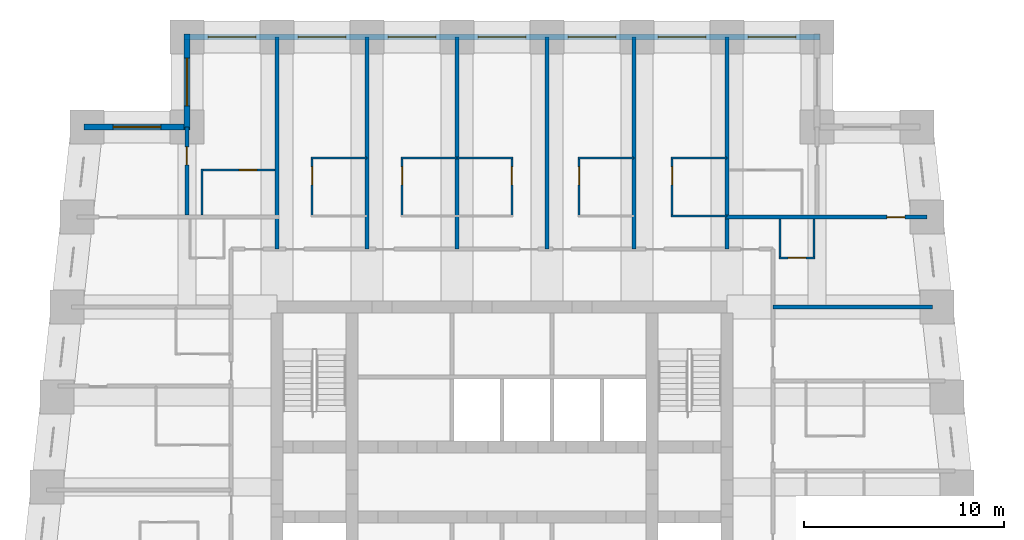
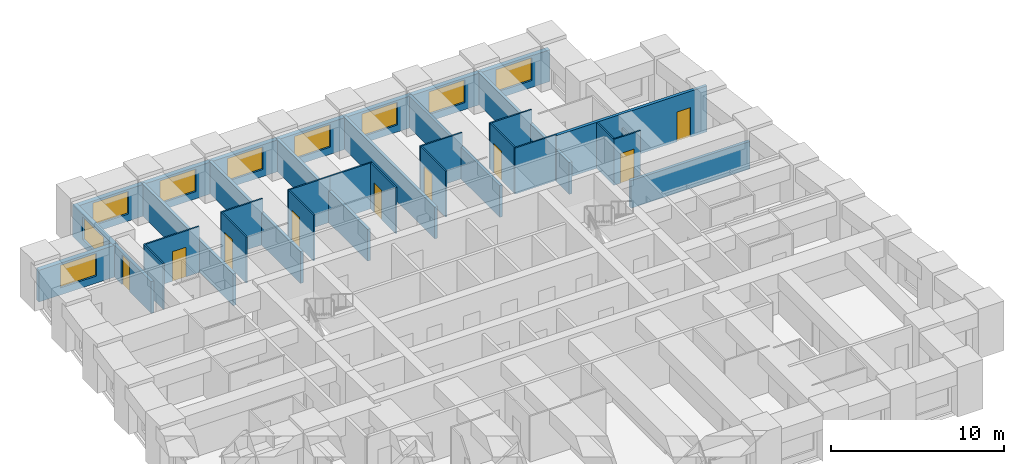
# One storey, part 6 of 8: 28 walls, 9 doors, 9 windows, 18 openings.
"""IFC4 building model written with IfcOpenShell, lengths in metres."""

from ifc_helpers import new_model, si_unit, direction, frame, frame_2d, origin, place, context, subcontext, project, spatial, rectangle, extrude, material, layer, layer_set, type_object, element, fill, save


model = new_model("IFC4")

# Units and contexts
model_context = context("Model", 3, precision=1e-05, world=origin(), true_north=direction((0.0, 1.0)))
body_context = subcontext(model_context, "Body", "Model", "MODEL_VIEW")
ifc_project = project(units=[si_unit("LENGTHUNIT", "METRE"), si_unit("AREAUNIT", "SQUARE_METRE"), si_unit("VOLUMEUNIT", "CUBIC_METRE"), si_unit("PLANEANGLEUNIT", "RADIAN"), si_unit("MASSUNIT", "GRAM", prefix="KILO")], contexts=[model_context])

# Site, building, storey
site_placement = place(None, origin())
site = spatial("IfcSite", under=ifc_project, at=site_placement, CompositionType="ELEMENT")
building_placement = place(site_placement, origin())
building = spatial("IfcBuilding", under=site, at=building_placement, Name="Kilele Tower Hotel", CompositionType="ELEMENT")
storey_placement = place(building_placement, frame((0.0, 0.0, 183.39990234375)))
storey = spatial("IfcBuildingStorey", under=building, at=storey_placement, Name="L47", CompositionType="ELEMENT", Elevation=183.39990234375)

# Wall
ifc_material_1 = material(Name="Moisture-resistant board")
ifc_layer_1 = layer(ifc_material_1, 0.10009765625)
ifc_layer_set_1 = layer_set([ifc_layer_1], Name="Moisture-resistant board")
wall_type_1 = type_object("IfcWallType", Name="Bathroom partition 100", PredefinedType="PLUMBINGWALL", material=ifc_layer_set_1)
wall_1_placement = place(storey_placement, frame((15.199951171875, 34.449951171875, 0.0), z_axis=(0.0, 0.0, 1.0), x_axis=(1.0, 0.0, 0.0)))
element("IfcWall", 1, at=wall_1_placement, inside=storey, type_object=wall_type_1, Name="Bathroom partition 100 L47", PredefinedType="PLUMBINGWALL", context=body_context, shape_type="SweptSolid", body=[
    extrude(rectangle(XDim=2.800048828125, YDim=0.10009765625, at=frame_2d((1.39990234375, 0.0))), origin(), (0.0, 0.0, 1.0), 3.25),
])

# Wall, opening, door
wall_2_placement = place(storey_placement, frame((15.25, 31.5, 0.0), z_axis=(0.0, 0.0, 1.0), x_axis=(0.0, 1.0, 0.0)))
wall_2 = element("IfcWall", 2, at=wall_2_placement, inside=storey, type_object=wall_type_1, Name="Bathroom partition 100 L47", PredefinedType="PLUMBINGWALL", context=body_context, shape_type="SweptSolid", body=[
    extrude(rectangle(XDim=3.0, YDim=0.10009765625, at=frame_2d((1.5, 0.0))), origin(), (0.0, 0.0, 1.0), 3.25),
])
opening_1_placement = place(wall_2_placement, frame((1.60009765625, 0.0, 0.0)))
opening_1 = element("IfcOpeningElement", 3, at=opening_1_placement, cuts=wall_2, Name="Opening D2A", PredefinedType="OPENING", context=body_context, shape_type="SweptSolid", body=[
    extrude(rectangle(XDim=0.89990234375, YDim=2.10009765625, at=frame_2d((0.449951171875, 1.050048828125))), frame((0.0, 0.06005859375, 0.0), z_axis=(0.0, -1.0, 0.0), x_axis=(1.0, 0.0, 0.0)), (0.0, 0.0, 1.0), 0.1201171875),
])
ifc_material_2 = material(Name="Timber door leaf in hardwood frame", Category="wood")
door_type_1 = type_object("IfcDoorType", Name="Bathroom door 900", OperationType="SINGLE_SWING_LEFT", PredefinedType="DOOR", material=ifc_material_2)
door_1_placement = place(opening_1_placement, origin())
door_1 = element("IfcDoor", 4, at=door_1_placement, inside=storey, type_object=door_type_1, Name="Bathroom door 4709B", OperationType="SINGLE_SWING_RIGHT", OverallHeight=2.10009765625, OverallWidth=0.89990234375, PredefinedType="DOOR", context=body_context, shape_type="SweptSolid", body=[
    extrude(rectangle(XDim=0.89990234375, YDim=2.10009765625, at=frame_2d((0.449951171875, 1.050048828125))), frame((0.0, 0.02490234375, 0.0), z_axis=(0.0, -1.0, 0.0), x_axis=(1.0, 0.0, 0.0)), (0.0, 0.0, 1.0), 0.050048828125),
])
fill(opening_1, door_1)

# Wall
wall_3_placement = place(storey_placement, frame((19.699951171875, 34.449951171875, 0.0), z_axis=(0.0, 0.0, 1.0), x_axis=(1.0, 0.0, 0.0)))
element("IfcWall", 5, at=wall_3_placement, inside=storey, type_object=wall_type_1, Name="Bathroom partition 100 L47", PredefinedType="PLUMBINGWALL", context=body_context, shape_type="SweptSolid", body=[
    extrude(rectangle(XDim=2.800048828125, YDim=0.10009765625, at=frame_2d((1.39990234375, 0.0))), origin(), (0.0, 0.0, 1.0), 3.25),
])

# Wall, opening, door
wall_4_placement = place(storey_placement, frame((19.75, 31.5, 0.0), z_axis=(0.0, 0.0, 1.0), x_axis=(0.0, 1.0, 0.0)))
wall_4 = element("IfcWall", 6, at=wall_4_placement, inside=storey, type_object=wall_type_1, Name="Bathroom partition 100 L47", PredefinedType="PLUMBINGWALL", context=body_context, shape_type="SweptSolid", body=[
    extrude(rectangle(XDim=3.0, YDim=0.10009765625, at=frame_2d((1.5, 0.0))), origin(), (0.0, 0.0, 1.0), 3.25),
])
opening_2_placement = place(wall_4_placement, frame((1.60009765625, 0.0, 0.0)))
opening_2 = element("IfcOpeningElement", 7, at=opening_2_placement, cuts=wall_4, Name="Opening D2A", PredefinedType="OPENING", context=body_context, shape_type="SweptSolid", body=[
    extrude(rectangle(XDim=0.89990234375, YDim=2.10009765625, at=frame_2d((0.449951171875, 1.050048828125))), frame((0.0, 0.06005859375, 0.0), z_axis=(0.0, -1.0, 0.0), x_axis=(1.0, 0.0, 0.0)), (0.0, 0.0, 1.0), 0.1201171875),
])
door_2_placement = place(opening_2_placement, origin())
door_2 = element("IfcDoor", 8, at=door_2_placement, inside=storey, type_object=door_type_1, Name="Bathroom door 4710B", OperationType="SINGLE_SWING_RIGHT", OverallHeight=2.10009765625, OverallWidth=0.89990234375, PredefinedType="DOOR", context=body_context, shape_type="SweptSolid", body=[
    extrude(rectangle(XDim=0.89990234375, YDim=2.10009765625, at=frame_2d((0.449951171875, 1.050048828125))), frame((0.0, 0.02490234375, 0.0), z_axis=(0.0, -1.0, 0.0), x_axis=(1.0, 0.0, 0.0)), (0.0, 0.0, 1.0), 0.050048828125),
])
fill(opening_2, door_2)

# Wall
wall_5_placement = place(storey_placement, frame((22.5, 34.449951171875, 0.0), z_axis=(0.0, 0.0, 1.0), x_axis=(1.0, 0.0, 0.0)))
element("IfcWall", 9, at=wall_5_placement, inside=storey, type_object=wall_type_1, Name="Bathroom partition 100 L47", PredefinedType="PLUMBINGWALL", context=body_context, shape_type="SweptSolid", body=[
    extrude(rectangle(XDim=2.800048828125, YDim=0.10009765625, at=frame_2d((1.39990234375, 0.0))), origin(), (0.0, 0.0, 1.0), 3.25),
])

# Wall, opening, door
wall_6_placement = place(storey_placement, frame((25.25, 31.5, 0.0), z_axis=(0.0, 0.0, 1.0), x_axis=(0.0, 1.0, 0.0)))
wall_6 = element("IfcWall", 10, at=wall_6_placement, inside=storey, type_object=wall_type_1, Name="Bathroom partition 100 L47", PredefinedType="PLUMBINGWALL", context=body_context, shape_type="SweptSolid", body=[
    extrude(rectangle(XDim=3.0, YDim=0.10009765625, at=frame_2d((1.5, 0.0))), origin(), (0.0, 0.0, 1.0), 3.25),
])
opening_3_placement = place(wall_6_placement, frame((2.5, 0.0, 0.0), z_axis=(0.0, 0.0, 1.0), x_axis=(-1.0, 0.0, 0.0)))
opening_3 = element("IfcOpeningElement", 11, at=opening_3_placement, cuts=wall_6, Name="Opening D2A", PredefinedType="OPENING", context=body_context, shape_type="SweptSolid", body=[
    extrude(rectangle(XDim=0.89990234375, YDim=2.10009765625, at=frame_2d((0.449951171875, 1.050048828125))), frame((0.0, 0.06005859375, 0.0), z_axis=(0.0, -1.0, 0.0), x_axis=(1.0, 0.0, 0.0)), (0.0, 0.0, 1.0), 0.1201171875),
])
door_3_placement = place(opening_3_placement, origin())
door_3 = element("IfcDoor", 12, at=door_3_placement, inside=storey, type_object=door_type_1, Name="Bathroom door 4711B", OperationType="SINGLE_SWING_LEFT", OverallHeight=2.10009765625, OverallWidth=0.89990234375, PredefinedType="DOOR", context=body_context, shape_type="SweptSolid", body=[
    extrude(rectangle(XDim=0.89990234375, YDim=2.10009765625, at=frame_2d((0.449951171875, 1.050048828125))), frame((0.0, 0.02490234375, 0.0), z_axis=(0.0, -1.0, 0.0), x_axis=(1.0, 0.0, 0.0)), (0.0, 0.0, 1.0), 0.050048828125),
])
fill(opening_3, door_3)

# Wall
wall_7_placement = place(storey_placement, frame((28.550048828125, 34.449951171875, 0.0), z_axis=(0.0, 0.0, 1.0), x_axis=(1.0, 0.0, 0.0)))
element("IfcWall", 13, at=wall_7_placement, inside=storey, type_object=wall_type_1, Name="Bathroom partition 100 L47", PredefinedType="PLUMBINGWALL", context=body_context, shape_type="SweptSolid", body=[
    extrude(rectangle(XDim=2.800048828125, YDim=0.10009765625, at=frame_2d((1.39990234375, 0.0))), origin(), (0.0, 0.0, 1.0), 3.25),
])

# Wall, opening, door
wall_8_placement = place(storey_placement, frame((28.60009765625, 31.5, 0.0), z_axis=(0.0, 0.0, 1.0), x_axis=(0.0, 1.0, 0.0)))
wall_8 = element("IfcWall", 14, at=wall_8_placement, inside=storey, type_object=wall_type_1, Name="Bathroom partition 100 L47", PredefinedType="PLUMBINGWALL", context=body_context, shape_type="SweptSolid", body=[
    extrude(rectangle(XDim=3.0, YDim=0.10009765625, at=frame_2d((1.5, 0.0))), origin(), (0.0, 0.0, 1.0), 3.25),
])
opening_4_placement = place(wall_8_placement, frame((1.60009765625, 0.0, 0.0)))
opening_4 = element("IfcOpeningElement", 15, at=opening_4_placement, cuts=wall_8, Name="Opening D2A", PredefinedType="OPENING", context=body_context, shape_type="SweptSolid", body=[
    extrude(rectangle(XDim=0.89990234375, YDim=2.10009765625, at=frame_2d((0.449951171875, 1.050048828125))), frame((0.0, 0.06005859375, 0.0), z_axis=(0.0, -1.0, 0.0), x_axis=(1.0, 0.0, 0.0)), (0.0, 0.0, 1.0), 0.1201171875),
])
door_4_placement = place(opening_4_placement, origin())
door_4 = element("IfcDoor", 16, at=door_4_placement, inside=storey, type_object=door_type_1, Name="Bathroom door 4712B", OperationType="SINGLE_SWING_RIGHT", OverallHeight=2.10009765625, OverallWidth=0.89990234375, PredefinedType="DOOR", context=body_context, shape_type="SweptSolid", body=[
    extrude(rectangle(XDim=0.89990234375, YDim=2.10009765625, at=frame_2d((0.449951171875, 1.050048828125))), frame((0.0, 0.02490234375, 0.0), z_axis=(0.0, -1.0, 0.0), x_axis=(1.0, 0.0, 0.0)), (0.0, 0.0, 1.0), 0.050048828125),
])
fill(opening_4, door_4)

# Walls
for number, where, z_axis, x_axis, name in (
    (17, (33.199951171875, 31.550048828125, 0.0), (0.0, 0.0, 1.0), (1.0, 0.0, 0.0), "Bathroom partition 100 L47"),
    (18, (33.199951171875, 34.449951171875, 0.0), (0.0, 0.0, 1.0), (1.0, 0.0, 0.0), "Bathroom partition 100 L47"),
):
    element("IfcWall", number, at=place(storey_placement, frame(where, z_axis=z_axis, x_axis=x_axis)), inside=storey, type_object=wall_type_1, Name=name, PredefinedType="PLUMBINGWALL", context=body_context, shape_type="SweptSolid", body=[
        extrude(rectangle(XDim=2.800048828125, YDim=0.10009765625, at=frame_2d((1.39990234375, 0.0))), origin(), (0.0, 0.0, 1.0), 3.25),
    ])

# Wall, opening, door
wall_9_placement = place(storey_placement, frame((33.25, 31.5, 0.0), z_axis=(0.0, 0.0, 1.0), x_axis=(0.0, 1.0, 0.0)))
wall_9 = element("IfcWall", 19, at=wall_9_placement, inside=storey, type_object=wall_type_1, Name="Bathroom partition 100 L47", PredefinedType="PLUMBINGWALL", context=body_context, shape_type="SweptSolid", body=[
    extrude(rectangle(XDim=3.0, YDim=0.10009765625, at=frame_2d((1.5, 0.0))), origin(), (0.0, 0.0, 1.0), 3.25),
])
opening_5_placement = place(wall_9_placement, frame((1.60009765625, 0.0, 0.0)))
opening_5 = element("IfcOpeningElement", 20, at=opening_5_placement, cuts=wall_9, Name="Opening D2A", PredefinedType="OPENING", context=body_context, shape_type="SweptSolid", body=[
    extrude(rectangle(XDim=0.89990234375, YDim=2.10009765625, at=frame_2d((0.449951171875, 1.050048828125))), frame((0.0, 0.06005859375, 0.0), z_axis=(0.0, -1.0, 0.0), x_axis=(1.0, 0.0, 0.0)), (0.0, 0.0, 1.0), 0.1201171875),
])
door_5_placement = place(opening_5_placement, origin())
door_5 = element("IfcDoor", 21, at=door_5_placement, inside=storey, type_object=door_type_1, Name="Bathroom door 4713B", OperationType="SINGLE_SWING_RIGHT", OverallHeight=2.10009765625, OverallWidth=0.89990234375, PredefinedType="DOOR", context=body_context, shape_type="SweptSolid", body=[
    extrude(rectangle(XDim=0.89990234375, YDim=2.10009765625, at=frame_2d((0.449951171875, 1.050048828125))), frame((0.0, 0.02490234375, 0.0), z_axis=(0.0, -1.0, 0.0), x_axis=(1.0, 0.0, 0.0)), (0.0, 0.0, 1.0), 0.050048828125),
])
fill(opening_5, door_5)

# Walls
wall_10_placement = place(storey_placement, frame((40.35009765625, 31.39990234375, 0.0), z_axis=(0.0, 0.0, 1.0), x_axis=(0.0, -1.0, 0.0)))
element("IfcWall", 22, at=wall_10_placement, inside=storey, type_object=wall_type_1, Name="Bathroom partition 100 L47", PredefinedType="PLUMBINGWALL", context=body_context, shape_type="SweptSolid", body=[
    extrude(rectangle(XDim=2.0, YDim=0.10009765625, at=frame_2d((1.0, 0.0))), origin(), (0.0, 0.0, 1.0), 2.25),
])
wall_11_placement = place(storey_placement, frame((38.64990234375, 31.39990234375, 0.0), z_axis=(0.0, 0.0, 1.0), x_axis=(0.0, -1.0, 0.0)))
element("IfcWall", 23, at=wall_11_placement, inside=storey, type_object=wall_type_1, Name="Bathroom partition 100 L47", PredefinedType="PLUMBINGWALL", context=body_context, shape_type="SweptSolid", body=[
    extrude(rectangle(XDim=2.0, YDim=0.10009765625, at=frame_2d((1.0, 0.0))), origin(), (0.0, 0.0, 1.0), 3.25),
])

# Wall, opening, door
wall_12_placement = place(storey_placement, frame((38.60009765625, 29.449951171875, 0.0), z_axis=(0.0, 0.0, 1.0), x_axis=(1.0, 0.0, 0.0)))
wall_12 = element("IfcWall", 24, at=wall_12_placement, inside=storey, type_object=wall_type_1, Name="Bathroom partition 100 L47", PredefinedType="PLUMBINGWALL", context=body_context, shape_type="SweptSolid", body=[
    extrude(rectangle(XDim=1.7998046875, YDim=0.10009765625, at=frame_2d((0.89990234375, 0.0))), origin(), (0.0, 0.0, 1.0), 3.25),
])
opening_6_placement = place(wall_12_placement, frame((1.349853515625, 0.0, 0.0), z_axis=(0.0, 0.0, 1.0), x_axis=(-1.0, 0.0, 0.0)))
opening_6 = element("IfcOpeningElement", 25, at=opening_6_placement, cuts=wall_12, Name="Opening D2A", PredefinedType="OPENING", context=body_context, shape_type="SweptSolid", body=[
    extrude(rectangle(XDim=0.89990234375, YDim=2.10009765625, at=frame_2d((0.449951171875, 1.050048828125))), frame((0.0, 0.06005859375, 0.0), z_axis=(0.0, -1.0, 0.0), x_axis=(1.0, 0.0, 0.0)), (0.0, 0.0, 1.0), 0.1201171875),
])
door_6_placement = place(opening_6_placement, origin())
door_6 = element("IfcDoor", 26, at=door_6_placement, inside=storey, type_object=door_type_1, Name="Bathroom door 4722P", OperationType="SINGLE_SWING_RIGHT", OverallHeight=2.10009765625, OverallWidth=0.89990234375, PredefinedType="DOOR", context=body_context, shape_type="SweptSolid", body=[
    extrude(rectangle(XDim=0.89990234375, YDim=2.10009765625, at=frame_2d((0.449951171875, 1.050048828125))), frame((0.0, 0.02490234375, 0.0), z_axis=(0.0, -1.0, 0.0), x_axis=(1.0, 0.0, 0.0)), (0.0, 0.0, 1.0), 0.050048828125),
])
fill(opening_6, door_6)

# Wall
wall_13_placement = place(storey_placement, frame((9.75, 31.60009765625, 0.0), z_axis=(0.0, 0.0, 1.0), x_axis=(0.0, 1.0, 0.0)))
element("IfcWall", 27, at=wall_13_placement, inside=storey, type_object=wall_type_1, Name="Bathroom partition 100 L47", PredefinedType="PLUMBINGWALL", context=body_context, shape_type="SweptSolid", body=[
    extrude(rectangle(XDim=2.2998046875, YDim=0.10009765625, at=frame_2d((1.14990234375, 0.0))), origin(), (0.0, 0.0, 1.0), 3.25),
])

# Wall, opening, door
wall_14_placement = place(storey_placement, frame((13.39990234375, 33.85009765625, 0.0), z_axis=(0.0, 0.0, 1.0), x_axis=(-1.0, 0.0, 0.0)))
wall_14 = element("IfcWall", 28, at=wall_14_placement, inside=storey, type_object=wall_type_1, Name="Bathroom partition 100 L47", PredefinedType="PLUMBINGWALL", context=body_context, shape_type="SweptSolid", body=[
    extrude(rectangle(XDim=3.699951171875, YDim=0.10009765625, at=frame_2d((1.85009765625, 0.0))), origin(), (0.0, 0.0, 1.0), 3.25),
])
opening_7_placement = place(wall_14_placement, frame((1.7998046875, 0.0, 0.0), z_axis=(0.0, 0.0, 1.0), x_axis=(-1.0, 0.0, 0.0)))
opening_7 = element("IfcOpeningElement", 29, at=opening_7_placement, cuts=wall_14, Name="Opening D2A", PredefinedType="OPENING", context=body_context, shape_type="SweptSolid", body=[
    extrude(rectangle(XDim=0.89990234375, YDim=2.10009765625, at=frame_2d((0.449951171875, 1.050048828125))), frame((0.0, 0.06005859375, 0.0), z_axis=(0.0, -1.0, 0.0), x_axis=(1.0, 0.0, 0.0)), (0.0, 0.0, 1.0), 0.1201171875),
])
door_7_placement = place(opening_7_placement, origin())
door_7 = element("IfcDoor", 30, at=door_7_placement, inside=storey, type_object=door_type_1, Name="Bathroom door 4726B", OperationType="SINGLE_SWING_RIGHT", OverallHeight=2.10009765625, OverallWidth=0.89990234375, PredefinedType="DOOR", context=body_context, shape_type="SweptSolid", body=[
    extrude(rectangle(XDim=0.89990234375, YDim=2.10009765625, at=frame_2d((0.449951171875, 1.050048828125))), frame((0.0, 0.02490234375, 0.0), z_axis=(0.0, -1.0, 0.0), x_axis=(1.0, 0.0, 0.0)), (0.0, 0.0, 1.0), 0.050048828125),
])
fill(opening_7, door_7)

ifc_material_3 = material(Name="Blockwork, plastered both sides", Category="masonry")
ifc_layer_2 = layer(ifc_material_3, 0.199951171875)
ifc_layer_set_2 = layer_set([ifc_layer_2], Name="Blockwork, plastered both sides")
wall_type_2 = type_object("IfcWallType", Name="Partition wall 200", PredefinedType="PARTITIONING", material=ifc_layer_set_2)
wall_15_placement = place(storey_placement, frame((9.0, 31.60009765625, 0.0), z_axis=(0.0, 0.0, 1.0), x_axis=(0.0, 1.0, 0.0)))
wall_15 = element("IfcWall", 31, at=wall_15_placement, inside=storey, type_object=wall_type_2, Name="Partition wall 200 L47", PredefinedType="PARTITIONING", context=body_context, shape_type="SweptSolid", body=[
    extrude(rectangle(XDim=4.39990234375, YDim=0.199951171875, at=frame_2d((2.199951171875, 0.0))), origin(), (0.0, 0.0, 1.0), 2.25),
])
opening_8_placement = place(wall_15_placement, frame((3.39990234375, 0.0, 0.0), z_axis=(0.0, 0.0, 1.0), x_axis=(-1.0, 0.0, 0.0)))
opening_8 = element("IfcOpeningElement", 32, at=opening_8_placement, cuts=wall_15, Name="Opening D3", PredefinedType="OPENING", context=body_context, shape_type="SweptSolid", body=[
    extrude(rectangle(XDim=0.89990234375, YDim=2.10009765625, at=frame_2d((0.449951171875, 1.050048828125))), frame((0.0, 0.10986328125, 0.0), z_axis=(0.0, -1.0, 0.0), x_axis=(1.0, 0.0, 0.0)), (0.0, 0.0, 1.0), 0.219970703125),
])
ifc_material_4 = material(Name="Timber door leaf in hardwood frame", Category="wood")
door_type_2 = type_object("IfcDoorType", Name="Suite internal door 900", OperationType="SINGLE_SWING_LEFT", PredefinedType="DOOR", material=ifc_material_4)
door_8_placement = place(opening_8_placement, origin())
door_8 = element("IfcDoor", 33, at=door_8_placement, inside=storey, type_object=door_type_2, Name="Suite door 4727", OperationType="SINGLE_SWING_RIGHT", OverallHeight=2.10009765625, OverallWidth=0.89990234375, PredefinedType="DOOR", context=body_context, shape_type="SweptSolid", body=[
    extrude(rectangle(XDim=0.89990234375, YDim=2.10009765625, at=frame_2d((0.449951171875, 1.050048828125))), frame((0.0, 0.02490234375, 0.0), z_axis=(0.0, -1.0, 0.0), x_axis=(1.0, 0.0, 0.0)), (0.0, 0.0, 1.0), 0.050048828125),
])
fill(opening_8, door_8)

# Walls
ifc_material_5 = material(Name="Blockwork, plastered both sides", Category="masonry")
ifc_layer_3 = layer(ifc_material_5, 0.199951171875)
ifc_layer_set_3 = layer_set([ifc_layer_3], Name="Blockwork, plastered both sides")
wall_type_3 = type_object("IfcWallType", Name="Party wall 200", PredefinedType="PARTITIONING", material=ifc_layer_set_3)
for number, where, z_axis, x_axis, name in (
    (34, (18.0, 29.89990234375, 0.0), (0.0, 0.0, 1.0), (0.0, 1.0, 0.0), "Party wall 200 L47"),
    (35, (22.5, 29.89990234375, 0.0), (0.0, 0.0, 1.0), (0.0, 1.0, 0.0), "Party wall 200 L47"),
    (36, (27.0, 29.89990234375, 0.0), (0.0, 0.0, 1.0), (0.0, 1.0, 0.0), "Party wall 200 L47"),
    (37, (31.35009765625, 29.89990234375, 0.0), (0.0, 0.0, 1.0), (0.0, 1.0, 0.0), "Party wall 200 L47"),
):
    element("IfcWall", number, at=place(storey_placement, frame(where, z_axis=z_axis, x_axis=x_axis)), inside=storey, type_object=wall_type_3, Name=name, PredefinedType="PARTITIONING", context=body_context, shape_type="SweptSolid", body=[
        extrude(rectangle(XDim=10.60009765625, YDim=0.199951171875, at=frame_2d((5.300048828125, 0.0))), origin(), (0.0, 0.0, 1.0), 2.25),
    ])
wall_16_placement = place(storey_placement, frame((38.300048828125, 27.0, 0.0), z_axis=(0.0, 0.0, 1.0), x_axis=(1.0, 0.0, 0.0)))
element("IfcWall", 38, at=wall_16_placement, inside=storey, type_object=wall_type_3, Name="Party wall 200 L47", PredefinedType="PARTITIONING", context=body_context, shape_type="SweptSolid", body=[
    extrude(rectangle(XDim=7.976806640625, YDim=0.199951171875, at=frame_2d((3.98828125, 0.0))), origin(), (0.0, 0.0, 1.0), 1.9501953125),
])
wall_17_placement = place(storey_placement, frame((36.0, 29.89990234375, 0.0), z_axis=(0.0, 0.0, 1.0), x_axis=(0.0, 1.0, 0.0)))
element("IfcWall", 39, at=wall_17_placement, inside=storey, type_object=wall_type_3, Name="Party wall 200 L47", PredefinedType="PARTITIONING", context=body_context, shape_type="SweptSolid", body=[
    extrude(rectangle(XDim=10.60009765625, YDim=0.199951171875, at=frame_2d((5.300048828125, 0.0))), origin(), (0.0, 0.0, 1.0), 2.25),
])

# Wall, opening, door
wall_18_placement = place(storey_placement, frame((35.89990234375, 31.5, 0.0), z_axis=(0.0, 0.0, 1.0), x_axis=(1.0, 0.0, 0.0)))
wall_18 = element("IfcWall", 40, at=wall_18_placement, inside=storey, type_object=wall_type_3, Name="Party wall 200 L47", PredefinedType="PARTITIONING", context=body_context, shape_type="SweptSolid", body=[
    extrude(rectangle(XDim=10.09912109375, YDim=0.199951171875, at=frame_2d((5.049560546875, 0.0))), origin(), (0.0, 0.0, 1.0), 3.25),
])
opening_9_placement = place(wall_18_placement, frame((8.09912109375, 0.0, 0.0)))
opening_9 = element("IfcOpeningElement", 41, at=opening_9_placement, cuts=wall_18, Name="Opening D3", PredefinedType="OPENING", context=body_context, shape_type="SweptSolid", body=[
    extrude(rectangle(XDim=0.89990234375, YDim=2.10009765625, at=frame_2d((0.449951171875, 1.050048828125))), frame((0.0, 0.10986328125, 0.0), z_axis=(0.0, -1.0, 0.0), x_axis=(1.0, 0.0, 0.0)), (0.0, 0.0, 1.0), 0.219970703125),
])
door_9_placement = place(opening_9_placement, origin())
door_9 = element("IfcDoor", 42, at=door_9_placement, inside=storey, type_object=door_type_2, Name="Suite door 4723", OperationType="SINGLE_SWING_RIGHT", OverallHeight=2.10009765625, OverallWidth=0.89990234375, PredefinedType="DOOR", context=body_context, shape_type="SweptSolid", body=[
    extrude(rectangle(XDim=0.89990234375, YDim=2.10009765625, at=frame_2d((0.449951171875, 1.050048828125))), frame((0.0, 0.02490234375, 0.0), z_axis=(0.0, -1.0, 0.0), x_axis=(1.0, 0.0, 0.0)), (0.0, 0.0, 1.0), 0.050048828125),
])
fill(opening_9, door_9)

# Wall
wall_19_placement = place(storey_placement, frame((13.5, 29.89990234375, 0.0), z_axis=(0.0, 0.0, 1.0), x_axis=(0.0, 1.0, 0.0)))
element("IfcWall", 43, at=wall_19_placement, inside=storey, type_object=wall_type_3, Name="Party wall 200 L47", PredefinedType="PARTITIONING", context=body_context, shape_type="SweptSolid", body=[
    extrude(rectangle(XDim=10.60009765625, YDim=0.199951171875, at=frame_2d((5.300048828125, 0.0))), origin(), (0.0, 0.0, 1.0), 2.25),
])

# Wall, openings, windows
ifc_material_6 = material(Name="Concrete C40/50 precast", Category="concrete")
ifc_layer_4 = layer(ifc_material_6, 0.260009765625, Name="Precast backing", Category="LoadBearing")
ifc_material_7 = material(Name="Reconstituted stone finish", Category="masonry")
ifc_layer_5 = layer(ifc_material_7, 0.0400390625, Name="Face mix", Category="Finish")
ifc_layer_set_4 = layer_set([ifc_layer_4, ifc_layer_5], Name="Precast concrete C40/50, reconstituted stone finish")
wall_type_4 = type_object("IfcWallType", Name="Precast stone facade wall 300", PredefinedType="STANDARD", material=ifc_layer_set_4)
wall_20_placement = place(storey_placement, frame((40.64990234375, 40.5, 0.0), z_axis=(0.0, 0.0, 1.0), x_axis=(-1.0, 0.0, 0.0)))
wall_20 = element("IfcWall", 44, at=wall_20_placement, inside=storey, type_object=wall_type_4, Name="Facade wall L47 edge 9", PredefinedType="STANDARD", context=body_context, shape_type="SweptSolid", body=[
    extrude(rectangle(XDim=31.7998046875, YDim=0.300048828125, at=frame_2d((15.89990234375, 0.0))), origin(), (0.0, 0.0, 1.0), 2.25),
])
opening_10_placement = place(wall_20_placement, frame((1.199951171875, 0.0, 0.5)))
opening_10 = element("IfcOpeningElement", 45, at=opening_10_placement, cuts=wall_20, Name="Opening W3", PredefinedType="OPENING", context=body_context, shape_type="SweptSolid", body=[
    extrude(rectangle(XDim=2.39990234375, YDim=1.60009765625, at=frame_2d((1.199951171875, 0.800048828125))), frame((0.0, 0.159912109375, 0.0), z_axis=(0.0, -1.0, 0.0), x_axis=(1.0, 0.0, 0.0)), (0.0, 0.0, 1.0), 0.320068359375),
])
opening_11_placement = place(wall_20_placement, frame((5.699951171875, 0.0, 0.5)))
opening_11 = element("IfcOpeningElement", 46, at=opening_11_placement, cuts=wall_20, Name="Opening W3", PredefinedType="OPENING", context=body_context, shape_type="SweptSolid", body=[
    extrude(rectangle(XDim=2.39990234375, YDim=1.60009765625, at=frame_2d((1.199951171875, 0.800048828125))), frame((0.0, 0.159912109375, 0.0), z_axis=(0.0, -1.0, 0.0), x_axis=(1.0, 0.0, 0.0)), (0.0, 0.0, 1.0), 0.320068359375),
])
opening_12_placement = place(wall_20_placement, frame((10.199951171875, 0.0, 0.5)))
opening_12 = element("IfcOpeningElement", 47, at=opening_12_placement, cuts=wall_20, Name="Opening W3", PredefinedType="OPENING", context=body_context, shape_type="SweptSolid", body=[
    extrude(rectangle(XDim=2.39990234375, YDim=1.60009765625, at=frame_2d((1.199951171875, 0.800048828125))), frame((0.0, 0.159912109375, 0.0), z_axis=(0.0, -1.0, 0.0), x_axis=(1.0, 0.0, 0.0)), (0.0, 0.0, 1.0), 0.320068359375),
])
opening_13_placement = place(wall_20_placement, frame((14.699951171875, 0.0, 0.5)))
opening_13 = element("IfcOpeningElement", 48, at=opening_13_placement, cuts=wall_20, Name="Opening W3", PredefinedType="OPENING", context=body_context, shape_type="SweptSolid", body=[
    extrude(rectangle(XDim=2.39990234375, YDim=1.60009765625, at=frame_2d((1.199951171875, 0.800048828125))), frame((0.0, 0.159912109375, 0.0), z_axis=(0.0, -1.0, 0.0), x_axis=(1.0, 0.0, 0.0)), (0.0, 0.0, 1.0), 0.320068359375),
])
opening_14_placement = place(wall_20_placement, frame((19.199951171875, 0.0, 0.5)))
opening_14 = element("IfcOpeningElement", 49, at=opening_14_placement, cuts=wall_20, Name="Opening W3", PredefinedType="OPENING", context=body_context, shape_type="SweptSolid", body=[
    extrude(rectangle(XDim=2.39990234375, YDim=1.60009765625, at=frame_2d((1.199951171875, 0.800048828125))), frame((0.0, 0.159912109375, 0.0), z_axis=(0.0, -1.0, 0.0), x_axis=(1.0, 0.0, 0.0)), (0.0, 0.0, 1.0), 0.320068359375),
])
opening_15_placement = place(wall_20_placement, frame((23.699951171875, 0.0, 0.5)))
opening_15 = element("IfcOpeningElement", 50, at=opening_15_placement, cuts=wall_20, Name="Opening W3", PredefinedType="OPENING", context=body_context, shape_type="SweptSolid", body=[
    extrude(rectangle(XDim=2.39990234375, YDim=1.60009765625, at=frame_2d((1.199951171875, 0.800048828125))), frame((0.0, 0.159912109375, 0.0), z_axis=(0.0, -1.0, 0.0), x_axis=(1.0, 0.0, 0.0)), (0.0, 0.0, 1.0), 0.320068359375),
])
opening_16_placement = place(wall_20_placement, frame((28.199951171875, 0.0, 0.5)))
opening_16 = element("IfcOpeningElement", 51, at=opening_16_placement, cuts=wall_20, Name="Opening W3", PredefinedType="OPENING", context=body_context, shape_type="SweptSolid", body=[
    extrude(rectangle(XDim=2.39990234375, YDim=1.60009765625, at=frame_2d((1.199951171875, 0.800048828125))), frame((0.0, 0.159912109375, 0.0), z_axis=(0.0, -1.0, 0.0), x_axis=(1.0, 0.0, 0.0)), (0.0, 0.0, 1.0), 0.320068359375),
])
ifc_material_8 = material(Name="Aluminium frame, clear double glazing", Category="aluminium")
window_type = type_object("IfcWindowType", Name="Window W3 2400 x 1600", PartitioningType="SINGLE_PANEL", PredefinedType="WINDOW", material=ifc_material_8)
window_1_placement = place(opening_10_placement, origin())
window_1 = element("IfcWindow", 52, at=window_1_placement, inside=storey, type_object=window_type, Name="Window L47", OverallHeight=1.60009765625, OverallWidth=2.39990234375, PartitioningType="SINGLE_PANEL", PredefinedType="WINDOW", context=body_context, shape_type="SweptSolid", body=[
    extrude(rectangle(XDim=2.39990234375, YDim=1.60009765625, at=frame_2d((1.199951171875, 0.800048828125))), frame((0.0, 0.030029296875, 0.0), z_axis=(0.0, -1.0, 0.0), x_axis=(1.0, 0.0, 0.0)), (0.0, 0.0, 1.0), 0.06005859375),
])
fill(opening_10, window_1)
window_2_placement = place(opening_11_placement, origin())
window_2 = element("IfcWindow", 53, at=window_2_placement, inside=storey, type_object=window_type, Name="Window L47", OverallHeight=1.60009765625, OverallWidth=2.39990234375, PartitioningType="SINGLE_PANEL", PredefinedType="WINDOW", context=body_context, shape_type="SweptSolid", body=[
    extrude(rectangle(XDim=2.39990234375, YDim=1.60009765625, at=frame_2d((1.199951171875, 0.800048828125))), frame((0.0, 0.030029296875, 0.0), z_axis=(0.0, -1.0, 0.0), x_axis=(1.0, 0.0, 0.0)), (0.0, 0.0, 1.0), 0.06005859375),
])
fill(opening_11, window_2)
window_3_placement = place(opening_12_placement, origin())
window_3 = element("IfcWindow", 54, at=window_3_placement, inside=storey, type_object=window_type, Name="Window L47", OverallHeight=1.60009765625, OverallWidth=2.39990234375, PartitioningType="SINGLE_PANEL", PredefinedType="WINDOW", context=body_context, shape_type="SweptSolid", body=[
    extrude(rectangle(XDim=2.39990234375, YDim=1.60009765625, at=frame_2d((1.199951171875, 0.800048828125))), frame((0.0, 0.030029296875, 0.0), z_axis=(0.0, -1.0, 0.0), x_axis=(1.0, 0.0, 0.0)), (0.0, 0.0, 1.0), 0.06005859375),
])
fill(opening_12, window_3)
window_4_placement = place(opening_13_placement, origin())
window_4 = element("IfcWindow", 55, at=window_4_placement, inside=storey, type_object=window_type, Name="Window L47", OverallHeight=1.60009765625, OverallWidth=2.39990234375, PartitioningType="SINGLE_PANEL", PredefinedType="WINDOW", context=body_context, shape_type="SweptSolid", body=[
    extrude(rectangle(XDim=2.39990234375, YDim=1.60009765625, at=frame_2d((1.199951171875, 0.800048828125))), frame((0.0, 0.030029296875, 0.0), z_axis=(0.0, -1.0, 0.0), x_axis=(1.0, 0.0, 0.0)), (0.0, 0.0, 1.0), 0.06005859375),
])
fill(opening_13, window_4)
window_5_placement = place(opening_14_placement, origin())
window_5 = element("IfcWindow", 56, at=window_5_placement, inside=storey, type_object=window_type, Name="Window L47", OverallHeight=1.60009765625, OverallWidth=2.39990234375, PartitioningType="SINGLE_PANEL", PredefinedType="WINDOW", context=body_context, shape_type="SweptSolid", body=[
    extrude(rectangle(XDim=2.39990234375, YDim=1.60009765625, at=frame_2d((1.199951171875, 0.800048828125))), frame((0.0, 0.030029296875, 0.0), z_axis=(0.0, -1.0, 0.0), x_axis=(1.0, 0.0, 0.0)), (0.0, 0.0, 1.0), 0.06005859375),
])
fill(opening_14, window_5)
window_6_placement = place(opening_15_placement, origin())
window_6 = element("IfcWindow", 57, at=window_6_placement, inside=storey, type_object=window_type, Name="Window L47", OverallHeight=1.60009765625, OverallWidth=2.39990234375, PartitioningType="SINGLE_PANEL", PredefinedType="WINDOW", context=body_context, shape_type="SweptSolid", body=[
    extrude(rectangle(XDim=2.39990234375, YDim=1.60009765625, at=frame_2d((1.199951171875, 0.800048828125))), frame((0.0, 0.030029296875, 0.0), z_axis=(0.0, -1.0, 0.0), x_axis=(1.0, 0.0, 0.0)), (0.0, 0.0, 1.0), 0.06005859375),
])
fill(opening_15, window_6)
window_7_placement = place(opening_16_placement, origin())
window_7 = element("IfcWindow", 58, at=window_7_placement, inside=storey, type_object=window_type, Name="Window L47", OverallHeight=1.60009765625, OverallWidth=2.39990234375, PartitioningType="SINGLE_PANEL", PredefinedType="WINDOW", context=body_context, shape_type="SweptSolid", body=[
    extrude(rectangle(XDim=2.39990234375, YDim=1.60009765625, at=frame_2d((1.199951171875, 0.800048828125))), frame((0.0, 0.030029296875, 0.0), z_axis=(0.0, -1.0, 0.0), x_axis=(1.0, 0.0, 0.0)), (0.0, 0.0, 1.0), 0.06005859375),
])
fill(opening_16, window_7)

# Wall, opening, window
wall_21_placement = place(storey_placement, frame((9.0, 40.64990234375, 0.0), z_axis=(0.0, 0.0, 1.0), x_axis=(0.0, -1.0, 0.0)))
wall_21 = element("IfcWall", 59, at=wall_21_placement, inside=storey, type_object=wall_type_4, Name="Facade wall L47 edge 10", PredefinedType="STANDARD", context=body_context, shape_type="SweptSolid", body=[
    extrude(rectangle(XDim=4.7998046875, YDim=0.300048828125, at=frame_2d((2.39990234375, 0.0))), origin(), (0.0, 0.0, 1.0), 2.25),
])
opening_17_placement = place(wall_21_placement, frame((1.199951171875, 0.0, 0.5)))
opening_17 = element("IfcOpeningElement", 60, at=opening_17_placement, cuts=wall_21, Name="Opening W3", PredefinedType="OPENING", context=body_context, shape_type="SweptSolid", body=[
    extrude(rectangle(XDim=2.39990234375, YDim=1.60009765625, at=frame_2d((1.199951171875, 0.800048828125))), frame((0.0, 0.159912109375, 0.0), z_axis=(0.0, -1.0, 0.0), x_axis=(1.0, 0.0, 0.0)), (0.0, 0.0, 1.0), 0.320068359375),
])
window_8_placement = place(opening_17_placement, origin())
window_8 = element("IfcWindow", 61, at=window_8_placement, inside=storey, type_object=window_type, Name="Window L47", OverallHeight=1.60009765625, OverallWidth=2.39990234375, PartitioningType="SINGLE_PANEL", PredefinedType="WINDOW", context=body_context, shape_type="SweptSolid", body=[
    extrude(rectangle(XDim=2.39990234375, YDim=1.60009765625, at=frame_2d((1.199951171875, 0.800048828125))), frame((0.0, 0.030029296875, 0.0), z_axis=(0.0, -1.0, 0.0), x_axis=(1.0, 0.0, 0.0)), (0.0, 0.0, 1.0), 0.06005859375),
])
fill(opening_17, window_8)

wall_22_placement = place(storey_placement, frame((9.14990234375, 36.0, 0.0), z_axis=(0.0, 0.0, 1.0), x_axis=(-1.0, 0.0, 0.0)))
wall_22 = element("IfcWall", 62, at=wall_22_placement, inside=storey, type_object=wall_type_4, Name="Facade wall L47 edge 11", PredefinedType="STANDARD", context=body_context, shape_type="SweptSolid", body=[
    extrude(rectangle(XDim=5.2998046875, YDim=0.300048828125, at=frame_2d((2.64990234375, 0.0))), origin(), (0.0, 0.0, 1.0), 2.25),
])
opening_18_placement = place(wall_22_placement, frame((1.449951171875, 0.0, 0.5)))
opening_18 = element("IfcOpeningElement", 63, at=opening_18_placement, cuts=wall_22, Name="Opening W3", PredefinedType="OPENING", context=body_context, shape_type="SweptSolid", body=[
    extrude(rectangle(XDim=2.39990234375, YDim=1.60009765625, at=frame_2d((1.199951171875, 0.800048828125))), frame((0.0, 0.159912109375, 0.0), z_axis=(0.0, -1.0, 0.0), x_axis=(1.0, 0.0, 0.0)), (0.0, 0.0, 1.0), 0.320068359375),
])
window_9_placement = place(opening_18_placement, origin())
window_9 = element("IfcWindow", 64, at=window_9_placement, inside=storey, type_object=window_type, Name="Window L47", OverallHeight=1.60009765625, OverallWidth=2.39990234375, PartitioningType="SINGLE_PANEL", PredefinedType="WINDOW", context=body_context, shape_type="SweptSolid", body=[
    extrude(rectangle(XDim=2.39990234375, YDim=1.60009765625, at=frame_2d((1.199951171875, 0.800048828125))), frame((0.0, 0.030029296875, 0.0), z_axis=(0.0, -1.0, 0.0), x_axis=(1.0, 0.0, 0.0)), (0.0, 0.0, 1.0), 0.06005859375),
])
fill(opening_18, window_9)

save(model, "model.ifc")
